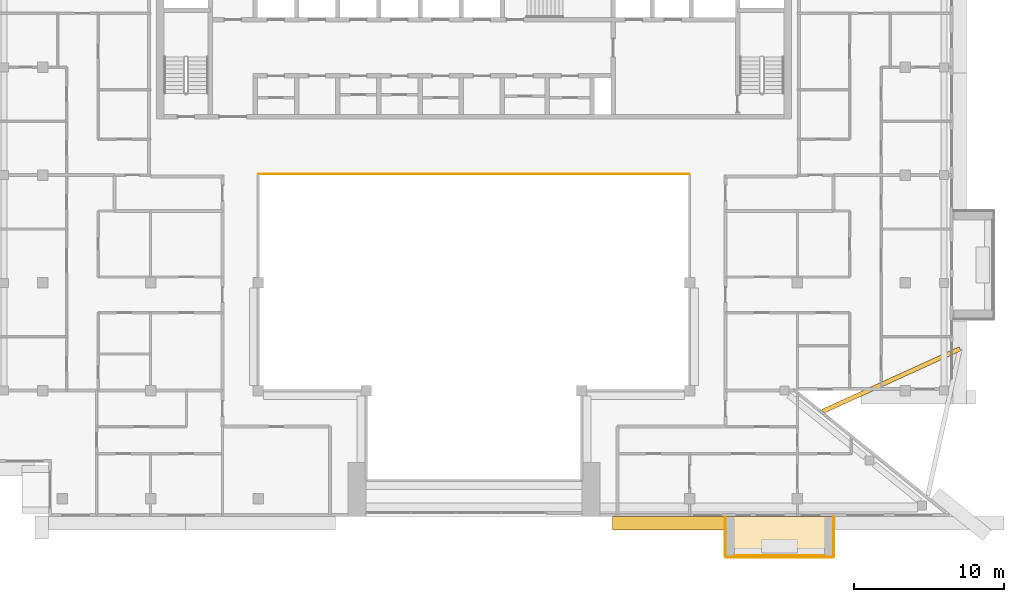
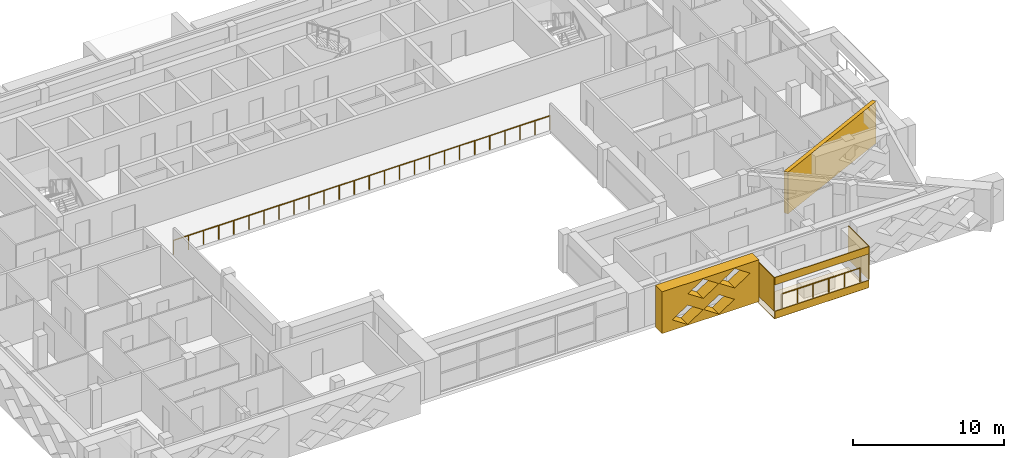
# One storey, part 15 of 19: 7 coverings, 2 railings.
"""IFC4 building model written with IfcOpenShell, lengths in metres."""

from ifc_helpers import new_model, si_unit, direction, frame, origin, origin_2d, place, context, subcontext, project, spatial, polyline, circle, outline, extrude, material, layer, layer_set, type_object, element, save


model = new_model("IFC4")

# Units and contexts
model_context = context("Model", 3, precision=1e-05, world=origin(), true_north=direction((0.0, 1.0)))
body_context = subcontext(model_context, "Body", "Model", "MODEL_VIEW")
ifc_project = project(units=[si_unit("LENGTHUNIT", "METRE"), si_unit("AREAUNIT", "SQUARE_METRE"), si_unit("VOLUMEUNIT", "CUBIC_METRE"), si_unit("PLANEANGLEUNIT", "RADIAN"), si_unit("MASSUNIT", "GRAM", prefix="KILO")], contexts=[model_context])

# Site, building, storey
site_placement = place(None, origin())
site = spatial("IfcSite", under=ifc_project, at=site_placement, CompositionType="ELEMENT")
building_placement = place(site_placement, origin())
building = spatial("IfcBuilding", under=site, at=building_placement, Name="Saffron Iwan Residences", CompositionType="ELEMENT")
storey_placement = place(building_placement, frame((0.0, 0.0, 267.5)))
storey = spatial("IfcBuildingStorey", under=building, at=storey_placement, Name="L72", CompositionType="ELEMENT", Elevation=267.5)

# Railings
ifc_material_1 = material(Name="Stainless steel 316", Category="steel")
railing_type_1 = type_object("IfcRailingType", Name="Atrium guard 1150", PredefinedType="GUARDRAIL", material=ifc_material_1)
railing_1_placement = place(storey_placement, frame((36.0, 62.47509765625, 0.0)))
element("IfcRailing", 1, at=railing_1_placement, inside=storey, type_object=railing_type_1, Name="Atrium guard L72", PredefinedType="GUARDRAIL", context=body_context, shape_type="SweptSolid", body=[
    extrude(circle(Radius=0.02392578125, at=origin_2d()), frame((0.0, 0.0, 1.1259765625), z_axis=(1.0, 0.0, 0.0), x_axis=(0.0, 1.0, 0.0)), (0.0, 0.0, 1.0), 28.800048828125),
    extrude(circle(Radius=0.02099609375, at=origin_2d()), origin(), (0.0, 0.0, 1.0), 1.101806640625),
    extrude(circle(Radius=0.02099609375, at=origin_2d()), frame((1.152099609375, 0.0, 0.0)), (0.0, 0.0, 1.0), 1.101806640625),
    extrude(circle(Radius=0.02099609375, at=origin_2d()), frame((2.303955078125, 0.0, 0.0)), (0.0, 0.0, 1.0), 1.101806640625),
    extrude(circle(Radius=0.02099609375, at=origin_2d()), frame((3.4560546875, 0.0, 0.0)), (0.0, 0.0, 1.0), 1.101806640625),
    extrude(circle(Radius=0.02099609375, at=origin_2d()), frame((4.60791015625, 0.0, 0.0)), (0.0, 0.0, 1.0), 1.101806640625),
    extrude(circle(Radius=0.02099609375, at=origin_2d()), frame((5.760009765625, 0.0, 0.0)), (0.0, 0.0, 1.0), 1.101806640625),
    extrude(circle(Radius=0.02099609375, at=origin_2d()), frame((6.912109375, 0.0, 0.0)), (0.0, 0.0, 1.0), 1.101806640625),
    extrude(circle(Radius=0.02099609375, at=origin_2d()), frame((8.06396484375, 0.0, 0.0)), (0.0, 0.0, 1.0), 1.101806640625),
    extrude(circle(Radius=0.02099609375, at=origin_2d()), frame((9.216064453125, 0.0, 0.0)), (0.0, 0.0, 1.0), 1.101806640625),
    extrude(circle(Radius=0.02099609375, at=origin_2d()), frame((10.367919921875, 0.0, 0.0)), (0.0, 0.0, 1.0), 1.101806640625),
    extrude(circle(Radius=0.02099609375, at=origin_2d()), frame((11.52001953125, 0.0, 0.0)), (0.0, 0.0, 1.0), 1.101806640625),
    extrude(circle(Radius=0.02099609375, at=origin_2d()), frame((12.672119140625, 0.0, 0.0)), (0.0, 0.0, 1.0), 1.101806640625),
    extrude(circle(Radius=0.02099609375, at=origin_2d()), frame((13.823974609375, 0.0, 0.0)), (0.0, 0.0, 1.0), 1.101806640625),
    extrude(circle(Radius=0.02099609375, at=origin_2d()), frame((14.97607421875, 0.0, 0.0)), (0.0, 0.0, 1.0), 1.101806640625),
    extrude(circle(Radius=0.02099609375, at=origin_2d()), frame((16.1279296875, 0.0, 0.0)), (0.0, 0.0, 1.0), 1.101806640625),
    extrude(circle(Radius=0.02099609375, at=origin_2d()), frame((17.280029296875, 0.0, 0.0)), (0.0, 0.0, 1.0), 1.101806640625),
    extrude(circle(Radius=0.02099609375, at=origin_2d()), frame((18.43212890625, 0.0, 0.0)), (0.0, 0.0, 1.0), 1.101806640625),
    extrude(circle(Radius=0.02099609375, at=origin_2d()), frame((19.583984375, 0.0, 0.0)), (0.0, 0.0, 1.0), 1.101806640625),
    extrude(circle(Radius=0.02099609375, at=origin_2d()), frame((20.736083984375, 0.0, 0.0)), (0.0, 0.0, 1.0), 1.101806640625),
    extrude(circle(Radius=0.02099609375, at=origin_2d()), frame((21.887939453125, 0.0, 0.0)), (0.0, 0.0, 1.0), 1.101806640625),
    extrude(circle(Radius=0.02099609375, at=origin_2d()), frame((23.0400390625, 0.0, 0.0)), (0.0, 0.0, 1.0), 1.101806640625),
    extrude(circle(Radius=0.02099609375, at=origin_2d()), frame((24.192138671875, 0.0, 0.0)), (0.0, 0.0, 1.0), 1.101806640625),
    extrude(circle(Radius=0.02099609375, at=origin_2d()), frame((25.343994140625, 0.0, 0.0)), (0.0, 0.0, 1.0), 1.101806640625),
    extrude(circle(Radius=0.02099609375, at=origin_2d()), frame((26.49609375, 0.0, 0.0)), (0.0, 0.0, 1.0), 1.101806640625),
    extrude(circle(Radius=0.02099609375, at=origin_2d()), frame((27.64794921875, 0.0, 0.0)), (0.0, 0.0, 1.0), 1.101806640625),
    extrude(circle(Radius=0.02099609375, at=origin_2d()), frame((28.800048828125, 0.0, 0.0)), (0.0, 0.0, 1.0), 1.101806640625),
])
railing_type_2 = type_object("IfcRailingType", Name="BALCONY GUARD 1150", PredefinedType="GUARDRAIL", material=ifc_material_1)
railing_2_placement = place(storey_placement, frame((67.800048828125, 36.97509765625, 0.0)))
element("IfcRailing", 2, at=railing_2_placement, inside=storey, type_object=railing_type_2, Name="Balcony guard L72 11-1", PredefinedType="GUARDRAIL", context=body_context, shape_type="SweptSolid", body=[
    extrude(circle(Radius=0.02392578125, at=origin_2d()), frame((0.0, 0.0, 1.1259765625), z_axis=(1.0, 0.0, 0.0), x_axis=(0.0, 1.0, 0.0)), (0.0, 0.0, 1.0), 6.0),
    extrude(circle(Radius=0.02099609375, at=origin_2d()), origin(), (0.0, 0.0, 1.0), 1.101806640625),
    extrude(circle(Radius=0.02099609375, at=origin_2d()), frame((1.199951171875, 0.0, 0.0)), (0.0, 0.0, 1.0), 1.101806640625),
    extrude(circle(Radius=0.02099609375, at=origin_2d()), frame((2.39990234375, 0.0, 0.0)), (0.0, 0.0, 1.0), 1.101806640625),
    extrude(circle(Radius=0.02099609375, at=origin_2d()), frame((3.60009765625, 0.0, 0.0)), (0.0, 0.0, 1.0), 1.101806640625),
    extrude(circle(Radius=0.02099609375, at=origin_2d()), frame((4.800048828125, 0.0, 0.0)), (0.0, 0.0, 1.0), 1.101806640625),
    extrude(circle(Radius=0.02099609375, at=origin_2d()), frame((6.0, 0.0, 0.0)), (0.0, 0.0, 1.0), 1.101806640625),
])

# Coverings
ifc_material_2 = material(Name="Precast concrete C40/50 white painted", Category="concrete")
ifc_layer_1 = layer(ifc_material_2, 0.050048828125)
ifc_layer_set_1 = layer_set([ifc_layer_1], Name="Precast concrete C40/50 white painted")
covering_type_1 = type_object("IfcCoveringType", Name="FRAME SKIN PRECAST WHITE 50", PredefinedType="CLADDING", material=ifc_layer_set_1)
for number, where, name in (
    (3, (0.0, 0.0, -0.60009765625), "Frame skin slab edge L72 11-1"),
    (4, (0.0, 0.0, 2.12890625), "Frame skin fascia L72 11-1"),
):
    element("IfcCovering", number, at=place(storey_placement, frame(where)), inside=storey, type_object=covering_type_1, Name=name, PredefinedType="CLADDING", context=body_context, shape_type="SweptSolid", body=[
        extrude(outline(polyline([(67.199951171875, 36.85009765625), (74.39990234375, 36.85009765625), (74.39990234375, 36.89990234375), (67.199951171875, 36.89990234375), (67.199951171875, 36.85009765625)])), origin(), (0.0, 0.0, 1.0), 0.60009765625),
    ])
covering_1_placement = place(storey_placement, frame((0.0, 0.0, -0.64990234375)))
element("IfcCovering", 5, at=covering_1_placement, inside=storey, type_object=covering_type_1, Name="Frame skin soffit L72 11-1", PredefinedType="CLADDING", context=body_context, shape_type="SweptSolid", body=[
    extrude(outline(polyline([(67.199951171875, 36.89990234375), (74.39990234375, 36.89990234375), (74.39990234375, 39.60009765625), (67.199951171875, 39.60009765625), (67.199951171875, 36.89990234375)])), origin(), (0.0, 0.0, 1.0), 0.0498046875),
])
covering_2_placement = place(storey_placement, origin())
element("IfcCovering", 6, at=covering_2_placement, inside=storey, type_object=covering_type_1, Name="Frame skin fin L72 11-1a", PredefinedType="CLADDING", context=body_context, shape_type="SweptSolid", body=[
    extrude(outline(polyline([(67.14990234375, 36.89990234375), (67.199951171875, 36.89990234375), (67.199951171875, 39.60009765625), (67.14990234375, 39.60009765625), (67.14990234375, 36.89990234375)])), origin(), (0.0, 0.0, 1.0), 2.72900390625),
])
covering_3_placement = place(storey_placement, origin())
element("IfcCovering", 7, at=covering_3_placement, inside=storey, type_object=covering_type_1, Name="Frame skin fin L72 11-1b", PredefinedType="CLADDING", context=body_context, shape_type="SweptSolid", body=[
    extrude(outline(polyline([(74.39990234375, 36.89990234375), (74.449951171875, 36.89990234375), (74.449951171875, 39.60009765625), (74.39990234375, 39.60009765625), (74.39990234375, 36.89990234375)])), origin(), (0.0, 0.0, 1.0), 2.72900390625),
])
ifc_material_3 = material(Name="Precast concrete C40/50", Category="concrete")
covering_type_2 = type_object("IfcCoveringType", Name="OUTER SKIN LATTICE SCREEN", PredefinedType="CLADDING", material=ifc_material_3)
covering_4_placement = place(storey_placement, frame((59.64990234375, 39.60009765625, -0.280029296875), z_axis=(0.0, -1.0, 0.0), x_axis=(1.0, 0.0, 0.0)))
element("IfcCovering", 8, at=covering_4_placement, inside=storey, type_object=covering_type_2, Name="OUTER SKIN lattice screen L72 F11.2", PredefinedType="CLADDING", context=body_context, shape_type="SweptSolid", body=[
    extrude(outline(polyline([(0.0, 0.0), (7.39990234375, 0.0), (7.39990234375, 3.37890625), (0.0, 3.37890625), (0.0, 0.0)]), holes=[polyline([(0.77001953125, 0.8447265625), (1.949951171875, 0.06005859375), (3.1298828125, 0.8447265625), (1.949951171875, 1.62939453125), (0.77001953125, 0.8447265625)]), polyline([(3.169921875, 0.8447265625), (4.35009765625, 0.06005859375), (5.530029296875, 0.8447265625), (4.35009765625, 1.62939453125), (3.169921875, 0.8447265625)]), polyline([(1.969970703125, 2.5341796875), (3.14990234375, 1.74951171875), (4.330078125, 2.5341796875), (3.14990234375, 3.319091796875), (1.969970703125, 2.5341796875)]), polyline([(4.3701171875, 2.5341796875), (5.550048828125, 1.74951171875), (6.72998046875, 2.5341796875), (5.550048828125, 3.319091796875), (4.3701171875, 2.5341796875)])]), origin(), (0.0, 0.0, 1.0), 0.900146484375),
])
ifc_layer_2 = layer(ifc_material_2, 0.300048828125)
ifc_layer_set_2 = layer_set([ifc_layer_2], Name="Precast concrete C40/50 white painted")
covering_type_3 = type_object("IfcCoveringType", Name="PROW NOSE BLADE PRECAST WHITE", PredefinedType="CLADDING", material=ifc_layer_set_2)
covering_5_placement = place(storey_placement, frame((0.0, 0.0, -0.280029296875)))
element("IfcCovering", 9, at=covering_5_placement, inside=storey, type_object=covering_type_3, Name="Prow nose blade L72 b", PredefinedType="CLADDING", context=body_context, shape_type="SweptSolid", body=[
    extrude(outline(polyline([(73.761474609375, 46.490966796875), (82.917236328125, 50.6650390625), (82.792724609375, 50.93798828125), (73.636962890625, 46.763916015625), (73.761474609375, 46.490966796875)])), origin(), (0.0, 0.0, 1.0), 3.379150390625),
])

save(model, "model.ifc")
